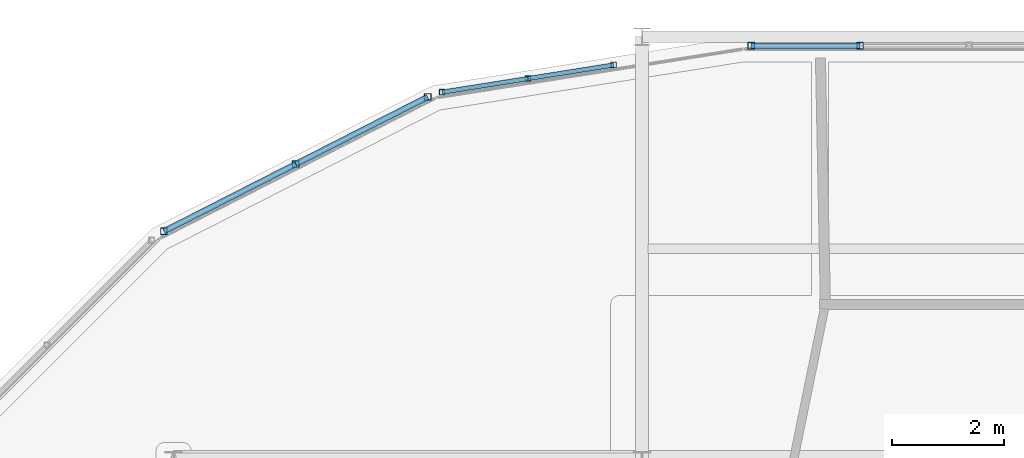
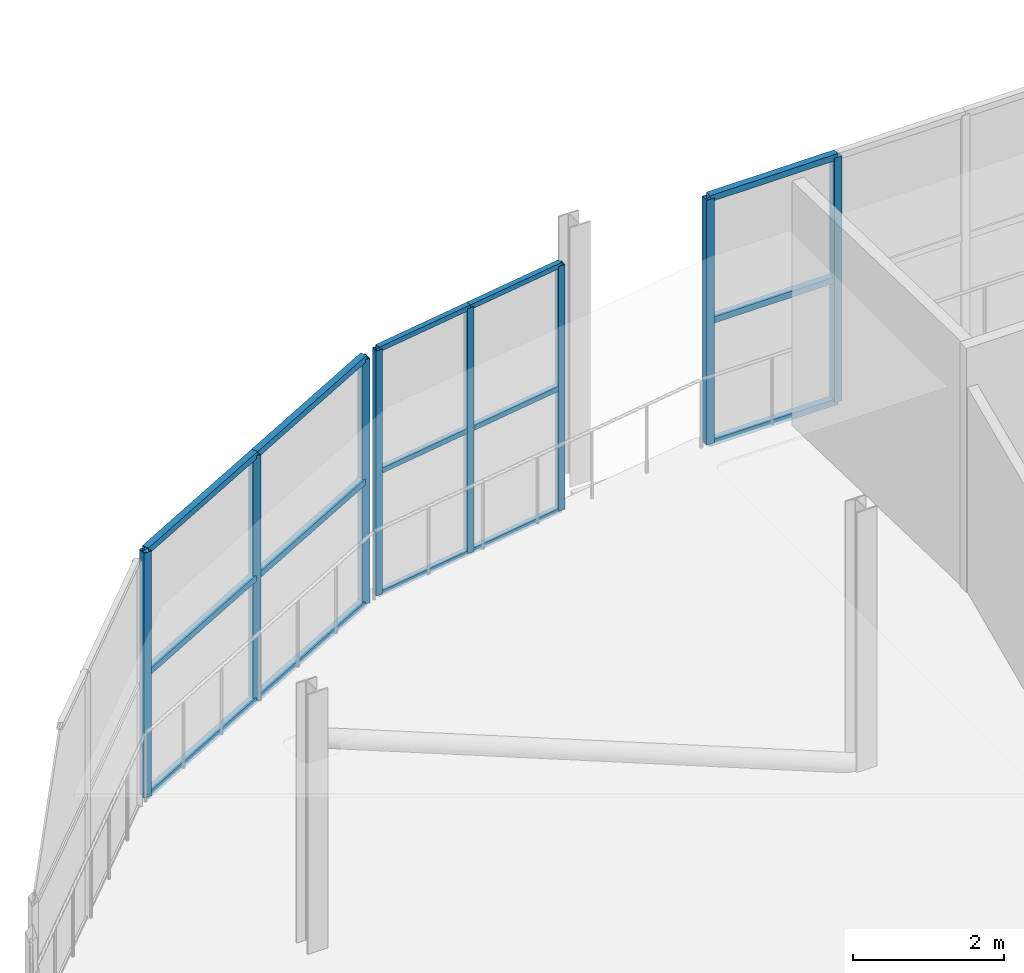
# One storey, part 58 of 151: 23 members, 3 elements without a shape of their own.
"""IFC4 building model written with IfcOpenShell, lengths in metres."""

from ifc_helpers import new_model, si_unit, direction, frame, origin, origin_2d, place, context, subcontext, project, spatial, hollow_rectangle, extrude, material, material_profile, profile_set, type_object, element, aggregate, save


model = new_model("IFC4")

# Units and contexts
model_context = context("Model", 3, precision=1e-05, world=origin(), true_north=direction((0.0, 1.0)))
body_context = subcontext(model_context, "Body", "Model", "MODEL_VIEW")
ifc_project = project(units=[si_unit("LENGTHUNIT", "METRE"), si_unit("AREAUNIT", "SQUARE_METRE"), si_unit("VOLUMEUNIT", "CUBIC_METRE"), si_unit("PLANEANGLEUNIT", "RADIAN"), si_unit("MASSUNIT", "GRAM", prefix="KILO")], contexts=[model_context])

# Site, building, storey
site_placement = place(None, origin())
site = spatial("IfcSite", under=ifc_project, at=site_placement, CompositionType="ELEMENT")
building_placement = place(site_placement, origin())
building = spatial("IfcBuilding", under=site, at=building_placement, Name="Zuvorla Pavilion Media Centre", CompositionType="ELEMENT")
storey_placement = place(building_placement, frame((0.0, 0.0, 13.800048828125)))
storey = spatial("IfcBuildingStorey", under=building, at=storey_placement, Name="L03", CompositionType="ELEMENT", Elevation=13.800048828125)

# Curtain wall, members
ifc_material_1 = material(Name="Unitised anodised aluminium and solar glass curtain wall", Category="aluminium")
curtain_wall_type_1 = type_object("IfcCurtainWallType", Name="CW-SYS-06", PredefinedType="USERDEFINED", material=ifc_material_1)
curtain_wall_1_placement = place(storey_placement, origin())
curtain_wall_1 = element("IfcCurtainWall", 1, at=curtain_wall_1_placement, inside=storey, type_object=curtain_wall_type_1, Name="L03 curtain wall CW06 121", ObjectType="CURTAIN WALL", PredefinedType="USERDEFINED")
ifc_material_2 = material(Name="Anodised aluminium 6063-T6", Category="aluminium")
ifc_material_profile_1 = material_profile(ifc_material_2, hollow_rectangle(XDim=0.10009765625, YDim=0.10009765625, WallThickness=0.00439453125, at=origin_2d()), Name="ALU MULL 100x100")
ifc_profile_set_1 = profile_set([ifc_material_profile_1], Name="Anodised aluminium 6063-T6")
member_type_1 = type_object("IfcMemberType", Name="CW-MULL-100", PredefinedType="MULLION", material=ifc_profile_set_1)
member_1_placement = place(storey_placement, frame((24.291259765625, 89.092529296875, 0.0), z_axis=(0.0, 0.0, 1.0), x_axis=(1.0, 0.0, 0.0)))
member_1 = element("IfcMember", 2, at=member_1_placement, type_object=member_type_1, Name="CW06 mullion 1", PredefinedType="MULLION", context=body_context, shape_type="SweptSolid", body=[
    extrude(hollow_rectangle(XDim=0.10009765625, YDim=0.10009765625, WallThickness=0.00439453125, at=origin_2d()), origin(), (0.0, 0.0, 1.0), 3.9599609375),
])
member_2_placement = place(storey_placement, frame((22.75439453125, 88.84912109375, 0.0), z_axis=(0.0, 0.0, 1.0), x_axis=(1.0, 0.0, 0.0)))
member_2 = element("IfcMember", 3, at=member_2_placement, type_object=member_type_1, Name="CW06 mullion 2", PredefinedType="MULLION", context=body_context, shape_type="SweptSolid", body=[
    extrude(hollow_rectangle(XDim=0.10009765625, YDim=0.10009765625, WallThickness=0.00439453125, at=origin_2d()), origin(), (0.0, 0.0, 1.0), 3.9599609375),
])
member_3_placement = place(storey_placement, frame((21.217529296875, 88.605712890625, 0.0), z_axis=(0.0, 0.0, 1.0), x_axis=(1.0, 0.0, 0.0)))
member_3 = element("IfcMember", 4, at=member_3_placement, type_object=member_type_1, Name="CW06 mullion 3", PredefinedType="MULLION", context=body_context, shape_type="SweptSolid", body=[
    extrude(hollow_rectangle(XDim=0.10009765625, YDim=0.10009765625, WallThickness=0.00439453125, at=origin_2d()), origin(), (0.0, 0.0, 1.0), 3.9599609375),
])

curtain_wall_type_2 = type_object("IfcCurtainWallType", Name="CW-SYS-27", PredefinedType="USERDEFINED", material=ifc_material_1)
curtain_wall_2_placement = place(storey_placement, origin())
curtain_wall_2 = element("IfcCurtainWall", 5, at=curtain_wall_2_placement, inside=storey, type_object=curtain_wall_type_2, Name="L03 curtain wall CW27 120", ObjectType="CURTAIN WALL", PredefinedType="USERDEFINED")
ifc_material_profile_2 = material_profile(ifc_material_2, hollow_rectangle(XDim=0.1201171875, YDim=0.1201171875, WallThickness=0.0048828125, at=origin_2d()), Name="ALU MULL 120x120")
ifc_profile_set_2 = profile_set([ifc_material_profile_2], Name="Anodised aluminium 6063-T6")
member_type_2 = type_object("IfcMemberType", Name="CW-MULL-120", PredefinedType="MULLION", material=ifc_profile_set_2)
member_4_placement = place(storey_placement, frame((28.712646484375, 89.43994140625, 0.0), z_axis=(0.0, 0.0, 1.0), x_axis=(1.0, 0.0, 0.0)))
member_4 = element("IfcMember", 6, at=member_4_placement, type_object=member_type_2, Name="CW27 mullion 3", PredefinedType="MULLION", context=body_context, shape_type="SweptSolid", body=[
    extrude(hollow_rectangle(XDim=0.1201171875, YDim=0.1201171875, WallThickness=0.0048828125, at=origin_2d()), origin(), (0.0, 0.0, 1.0), 3.9599609375),
])
member_5_placement = place(storey_placement, frame((26.760009765625, 89.43994140625, 0.0), z_axis=(0.0, 0.0, 1.0), x_axis=(1.0, 0.0, 0.0)))
member_5 = element("IfcMember", 7, at=member_5_placement, type_object=member_type_2, Name="CW27 mullion 4", PredefinedType="MULLION", context=body_context, shape_type="SweptSolid", body=[
    extrude(hollow_rectangle(XDim=0.1201171875, YDim=0.1201171875, WallThickness=0.0048828125, at=origin_2d()), origin(), (0.0, 0.0, 1.0), 3.9599609375),
])

curtain_wall_type_3 = type_object("IfcCurtainWallType", Name="CW-SYS-03", PredefinedType="USERDEFINED", material=ifc_material_1)
curtain_wall_3_placement = place(storey_placement, origin())
curtain_wall_3 = element("IfcCurtainWall", 8, at=curtain_wall_3_placement, inside=storey, type_object=curtain_wall_type_3, Name="L03 curtain wall CW03 122", ObjectType="CURTAIN WALL", PredefinedType="USERDEFINED")
member_6_placement = place(storey_placement, frame((20.958740234375, 88.521484375, 0.0), z_axis=(0.0, 0.0, 1.0), x_axis=(1.0, 0.0, 0.0)))
member_6 = element("IfcMember", 9, at=member_6_placement, type_object=member_type_2, Name="CW03 mullion 1", PredefinedType="MULLION", context=body_context, shape_type="SweptSolid", body=[
    extrude(hollow_rectangle(XDim=0.1201171875, YDim=0.1201171875, WallThickness=0.0048828125, at=origin_2d()), origin(), (0.0, 0.0, 1.0), 3.9599609375),
])
member_7_placement = place(storey_placement, frame((18.59228515625, 87.31591796875, 0.0), z_axis=(0.0, 0.0, 1.0), x_axis=(1.0, 0.0, 0.0)))
member_7 = element("IfcMember", 10, at=member_7_placement, type_object=member_type_2, Name="CW03 mullion 2", PredefinedType="MULLION", context=body_context, shape_type="SweptSolid", body=[
    extrude(hollow_rectangle(XDim=0.1201171875, YDim=0.1201171875, WallThickness=0.0048828125, at=origin_2d()), origin(), (0.0, 0.0, 1.0), 3.9599609375),
])
member_8_placement = place(storey_placement, frame((16.22607421875, 86.110107421875, 0.0), z_axis=(0.0, 0.0, 1.0), x_axis=(1.0, 0.0, 0.0)))
member_8 = element("IfcMember", 11, at=member_8_placement, type_object=member_type_2, Name="CW03 mullion 3", PredefinedType="MULLION", context=body_context, shape_type="SweptSolid", body=[
    extrude(hollow_rectangle(XDim=0.1201171875, YDim=0.1201171875, WallThickness=0.0048828125, at=origin_2d()), origin(), (0.0, 0.0, 1.0), 3.9599609375),
])

# Member
ifc_material_profile_3 = material_profile(ifc_material_2, hollow_rectangle(XDim=0.10009765625, YDim=0.10009765625, WallThickness=0.00439453125, at=origin_2d()), Name="ALU TRAN 100x100")
ifc_profile_set_3 = profile_set([ifc_material_profile_3], Name="Anodised aluminium 6063-T6")
member_type_3 = type_object("IfcMemberType", Name="CW-TRAN-100", PredefinedType="USERDEFINED", material=ifc_profile_set_3)
member_9_placement = place(storey_placement, frame((28.712646484375, 89.43994140625, 0.0), z_axis=(-1.0, 0.0, 0.0), x_axis=(0.0, -1.0, 0.0)))
member_9 = element("IfcMember", 12, at=member_9_placement, type_object=member_type_3, Name="CW27 transom 3.1", ObjectType="TRANSOM", PredefinedType="USERDEFINED", context=body_context, shape_type="SweptSolid", body=[
    extrude(hollow_rectangle(XDim=0.10009765625, YDim=0.10009765625, WallThickness=0.00439453125, at=origin_2d()), origin(), (0.0, 0.0, 1.0), 1.95263671875),
])

member_10_placement = place(storey_placement, frame((28.712646484375, 89.43994140625, 1.97998046875), z_axis=(-1.0, 0.0, 0.0), x_axis=(0.0, -1.0, 0.0)))
member_10 = element("IfcMember", 13, at=member_10_placement, type_object=member_type_3, Name="CW27 transom 3.2", ObjectType="TRANSOM", PredefinedType="USERDEFINED", context=body_context, shape_type="SweptSolid", body=[
    extrude(hollow_rectangle(XDim=0.10009765625, YDim=0.10009765625, WallThickness=0.00439453125, at=origin_2d()), origin(), (0.0, 0.0, 1.0), 1.95263671875),
])

member_11_placement = place(storey_placement, frame((28.712646484375, 89.43994140625, 3.9599609375), z_axis=(-1.0, 0.0, 0.0), x_axis=(0.0, -1.0, 0.0)))
member_11 = element("IfcMember", 14, at=member_11_placement, type_object=member_type_3, Name="CW27 transom 3.3", ObjectType="TRANSOM", PredefinedType="USERDEFINED", context=body_context, shape_type="SweptSolid", body=[
    extrude(hollow_rectangle(XDim=0.10009765625, YDim=0.10009765625, WallThickness=0.00439453125, at=origin_2d()), origin(), (0.0, 0.0, 1.0), 1.95263671875),
])

aggregate(curtain_wall_2, [member_4, member_5, member_9, member_10, member_11])

member_12_placement = place(storey_placement, frame((20.958740234375, 88.521484375, 0.0), z_axis=(-0.891037392272, -0.453929912622, 0.0), x_axis=(0.453929912622, -0.891037392272, 0.0)))
member_12 = element("IfcMember", 15, at=member_12_placement, type_object=member_type_3, Name="CW03 transom 1.1", ObjectType="TRANSOM", PredefinedType="USERDEFINED", context=body_context, shape_type="SweptSolid", body=[
    extrude(hollow_rectangle(XDim=0.10009765625, YDim=0.10009765625, WallThickness=0.00439453125, at=origin_2d()), origin(), (0.0, 0.0, 1.0), 2.65576171875),
])

member_13_placement = place(storey_placement, frame((20.958740234375, 88.521484375, 1.97998046875), z_axis=(-0.891037392272, -0.453929912622, 0.0), x_axis=(0.453929912622, -0.891037392272, 0.0)))
member_13 = element("IfcMember", 16, at=member_13_placement, type_object=member_type_3, Name="CW03 transom 1.2", ObjectType="TRANSOM", PredefinedType="USERDEFINED", context=body_context, shape_type="SweptSolid", body=[
    extrude(hollow_rectangle(XDim=0.10009765625, YDim=0.10009765625, WallThickness=0.00439453125, at=origin_2d()), origin(), (0.0, 0.0, 1.0), 2.65576171875),
])

member_14_placement = place(storey_placement, frame((20.958740234375, 88.521484375, 3.9599609375), z_axis=(-0.891037392272, -0.453929912622, 0.0), x_axis=(0.453929912622, -0.891037392272, 0.0)))
member_14 = element("IfcMember", 17, at=member_14_placement, type_object=member_type_3, Name="CW03 transom 1.3", ObjectType="TRANSOM", PredefinedType="USERDEFINED", context=body_context, shape_type="SweptSolid", body=[
    extrude(hollow_rectangle(XDim=0.10009765625, YDim=0.10009765625, WallThickness=0.00439453125, at=origin_2d()), origin(), (0.0, 0.0, 1.0), 2.65576171875),
])

member_15_placement = place(storey_placement, frame((18.59228515625, 87.31591796875, 0.0), z_axis=(-0.890981260547, -0.454040079018, 0.0), x_axis=(0.454040079018, -0.890981260547, 0.0)))
member_15 = element("IfcMember", 18, at=member_15_placement, type_object=member_type_3, Name="CW03 transom 2.1", ObjectType="TRANSOM", PredefinedType="USERDEFINED", context=body_context, shape_type="SweptSolid", body=[
    extrude(hollow_rectangle(XDim=0.10009765625, YDim=0.10009765625, WallThickness=0.00439453125, at=origin_2d()), origin(), (0.0, 0.0, 1.0), 2.65576171875),
])

member_16_placement = place(storey_placement, frame((18.59228515625, 87.31591796875, 1.97998046875), z_axis=(-0.890981260547, -0.454040079018, 0.0), x_axis=(0.454040079018, -0.890981260547, 0.0)))
member_16 = element("IfcMember", 19, at=member_16_placement, type_object=member_type_3, Name="CW03 transom 2.2", ObjectType="TRANSOM", PredefinedType="USERDEFINED", context=body_context, shape_type="SweptSolid", body=[
    extrude(hollow_rectangle(XDim=0.10009765625, YDim=0.10009765625, WallThickness=0.00439453125, at=origin_2d()), origin(), (0.0, 0.0, 1.0), 2.65576171875),
])

member_17_placement = place(storey_placement, frame((18.59228515625, 87.31591796875, 3.9599609375), z_axis=(-0.890981260547, -0.454040079018, 0.0), x_axis=(0.454040079018, -0.890981260547, 0.0)))
member_17 = element("IfcMember", 20, at=member_17_placement, type_object=member_type_3, Name="CW03 transom 2.3", ObjectType="TRANSOM", PredefinedType="USERDEFINED", context=body_context, shape_type="SweptSolid", body=[
    extrude(hollow_rectangle(XDim=0.10009765625, YDim=0.10009765625, WallThickness=0.00439453125, at=origin_2d()), origin(), (0.0, 0.0, 1.0), 2.65576171875),
])

aggregate(curtain_wall_3, [member_6, member_7, member_8, member_12, member_13, member_14, member_15, member_16, member_17])

ifc_material_profile_4 = material_profile(ifc_material_2, hollow_rectangle(XDim=0.080078125, YDim=0.080078125, WallThickness=0.00390625, at=origin_2d()), Name="ALU TRAN 80x80")
ifc_profile_set_4 = profile_set([ifc_material_profile_4], Name="Anodised aluminium 6063-T6")
member_type_4 = type_object("IfcMemberType", Name="CW-TRAN-80", PredefinedType="USERDEFINED", material=ifc_profile_set_4)
member_18_placement = place(storey_placement, frame((24.291259765625, 89.092529296875, 0.0), z_axis=(-0.987689069115, -0.156429865275, 0.0), x_axis=(0.156429865275, -0.987689069115, 0.0)))
member_18 = element("IfcMember", 21, at=member_18_placement, type_object=member_type_4, Name="CW06 transom 1.1", ObjectType="TRANSOM", PredefinedType="USERDEFINED", context=body_context, shape_type="SweptSolid", body=[
    extrude(hollow_rectangle(XDim=0.080078125, YDim=0.080078125, WallThickness=0.00390625, at=origin_2d()), origin(), (0.0, 0.0, 1.0), 1.555908203125),
])

member_19_placement = place(storey_placement, frame((24.291259765625, 89.092529296875, 1.97998046875), z_axis=(-0.987689069115, -0.156429865275, 0.0), x_axis=(0.156429865275, -0.987689069115, 0.0)))
member_19 = element("IfcMember", 22, at=member_19_placement, type_object=member_type_4, Name="CW06 transom 1.2", ObjectType="TRANSOM", PredefinedType="USERDEFINED", context=body_context, shape_type="SweptSolid", body=[
    extrude(hollow_rectangle(XDim=0.080078125, YDim=0.080078125, WallThickness=0.00390625, at=origin_2d()), origin(), (0.0, 0.0, 1.0), 1.555908203125),
])

member_20_placement = place(storey_placement, frame((24.291259765625, 89.092529296875, 3.9599609375), z_axis=(-0.987689069115, -0.156429865275, 0.0), x_axis=(0.156429865275, -0.987689069115, 0.0)))
member_20 = element("IfcMember", 23, at=member_20_placement, type_object=member_type_4, Name="CW06 transom 1.3", ObjectType="TRANSOM", PredefinedType="USERDEFINED", context=body_context, shape_type="SweptSolid", body=[
    extrude(hollow_rectangle(XDim=0.080078125, YDim=0.080078125, WallThickness=0.00390625, at=origin_2d()), origin(), (0.0, 0.0, 1.0), 1.555908203125),
])

member_21_placement = place(storey_placement, frame((22.75439453125, 88.84912109375, 0.0), z_axis=(-0.987689069115, -0.156429865275, 0.0), x_axis=(0.156429865275, -0.987689069115, 0.0)))
member_21 = element("IfcMember", 24, at=member_21_placement, type_object=member_type_4, Name="CW06 transom 2.1", ObjectType="TRANSOM", PredefinedType="USERDEFINED", context=body_context, shape_type="SweptSolid", body=[
    extrude(hollow_rectangle(XDim=0.080078125, YDim=0.080078125, WallThickness=0.00390625, at=origin_2d()), origin(), (0.0, 0.0, 1.0), 1.555908203125),
])

member_22_placement = place(storey_placement, frame((22.75439453125, 88.84912109375, 1.97998046875), z_axis=(-0.987689069115, -0.156429865275, 0.0), x_axis=(0.156429865275, -0.987689069115, 0.0)))
member_22 = element("IfcMember", 25, at=member_22_placement, type_object=member_type_4, Name="CW06 transom 2.2", ObjectType="TRANSOM", PredefinedType="USERDEFINED", context=body_context, shape_type="SweptSolid", body=[
    extrude(hollow_rectangle(XDim=0.080078125, YDim=0.080078125, WallThickness=0.00390625, at=origin_2d()), origin(), (0.0, 0.0, 1.0), 1.555908203125),
])

member_23_placement = place(storey_placement, frame((22.75439453125, 88.84912109375, 3.9599609375), z_axis=(-0.987689069115, -0.156429865275, 0.0), x_axis=(0.156429865275, -0.987689069115, 0.0)))
member_23 = element("IfcMember", 26, at=member_23_placement, type_object=member_type_4, Name="CW06 transom 2.3", ObjectType="TRANSOM", PredefinedType="USERDEFINED", context=body_context, shape_type="SweptSolid", body=[
    extrude(hollow_rectangle(XDim=0.080078125, YDim=0.080078125, WallThickness=0.00390625, at=origin_2d()), origin(), (0.0, 0.0, 1.0), 1.555908203125),
])

aggregate(curtain_wall_1, [member_1, member_2, member_3, member_18, member_19, member_20, member_21, member_22, member_23])

save(model, "model.ifc")
